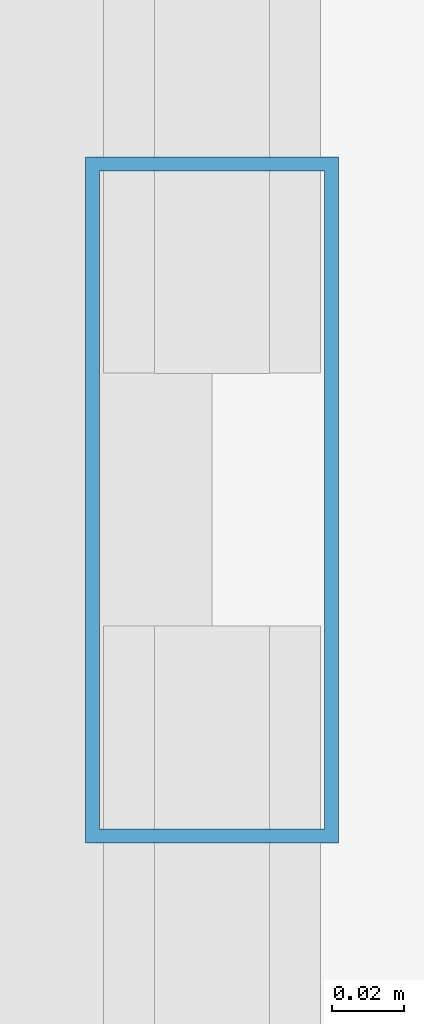
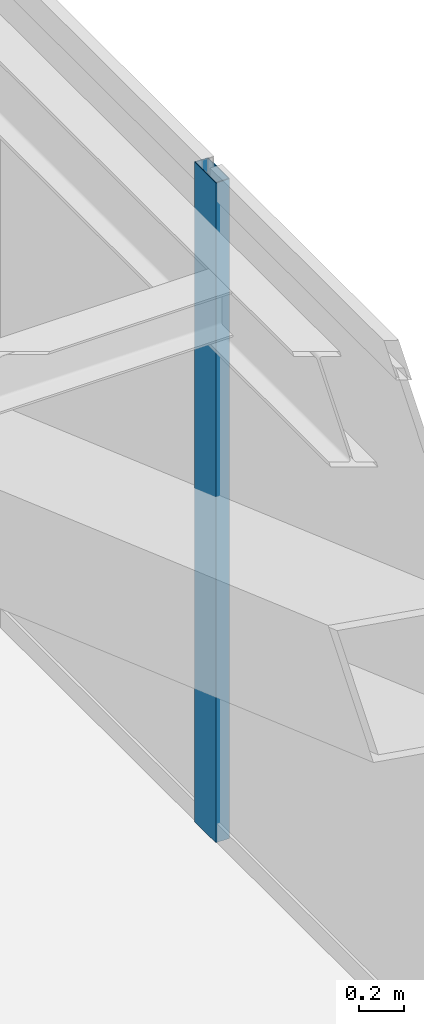
# One storey, part 20 of 35: 1 member, 1 element without a shape of its own.
"""IFC4 building model written with IfcOpenShell, lengths in metres."""

import ifcopenshell
import ifcopenshell.guid

model = None  # the IFC model being written
_history = None  # IfcOwnerHistory: only IFC2X3 demands one
_inside = {}  # id of a spatial element -> (the spatial element, [elements in it])
_under = {}  # id of a project, library or spatial element -> (it, [spatial elements below it])
_declared = {}  # id of a project -> (the project, [libraries it declares])
_typed = {}  # id of a type object -> (the type object, [elements of that type])
_made_of = {}  # id of a material, layer set ... -> (it, [elements and type objects made of it])


def new_model(schema):
    """Start an empty IFC model of exactly this schema.

    Asked for "IFC4X3", IfcOpenShell would pick the latest addendum, in which some entities
    have other attributes; the version numbers below select the first issue.
    IFC2X3 requires an IfcOwnerHistory on every rooted entity: one is made here for all.
    """
    global model, _history
    if schema == "IFC4X3":
        model = ifcopenshell.file(schema_version=(4, 3, 0, 0))
    else:
        model = ifcopenshell.file(schema=schema)
    _inside.clear()
    _under.clear()
    _declared.clear()
    _typed.clear()
    _made_of.clear()
    _history = None
    if model.schema == "IFC2X3":
        org = make("IfcOrganization", Name="unknown")
        user = make(
            "IfcPersonAndOrganization",
            ThePerson=make("IfcPerson", FamilyName="unknown"),
            TheOrganization=org,
        )
        app = make(
            "IfcApplication",
            ApplicationDeveloper=org,
            Version="unknown",
            ApplicationFullName="unknown",
            ApplicationIdentifier="unknown",
        )
        _history = make(
            "IfcOwnerHistory",
            OwningUser=user,
            OwningApplication=app,
            ChangeAction="ADDED",
            CreationDate=0,
        )
    return model


def make(cls, **values):
    """One entity of the class cls with the attributes given. An attribute that is None is left unset."""
    return model.create_entity(
        cls, **{name: value for name, value in values.items() if value is not None}
    )


def rooted(cls, **values):
    """An entity with a GlobalId (a new one), such as an element, a storey or a relation."""
    return make(cls, GlobalId=ifcopenshell.guid.new(), OwnerHistory=_history, **values)


def si_unit(unit_type, name, prefix=None):
    """IfcSIUnit, for example si_unit("LENGTHUNIT", "METRE", prefix="MILLI")."""
    return make("IfcSIUnit", UnitType=unit_type, Prefix=prefix, Name=name)


def assignment(units):
    """IfcUnitAssignment: the units of a project."""
    return None if units is None else make("IfcUnitAssignment", Units=units)


def point(xyz):
    """IfcCartesianPoint."""
    return None if xyz is None else make("IfcCartesianPoint", Coordinates=xyz)


def direction(xyz):
    """IfcDirection."""
    return None if xyz is None else make("IfcDirection", DirectionRatios=xyz)


def frame(location, z_axis=None, x_axis=None):
    """IfcAxis2Placement3D, a coordinate frame: its origin and axes. An axis left out is left unset."""
    return make(
        "IfcAxis2Placement3D",
        Location=point(location),
        Axis=direction(z_axis),
        RefDirection=direction(x_axis),
    )


def frame_2d(location, x_axis=None):
    """IfcAxis2Placement2D, a coordinate frame in the plane: its origin and x axis."""
    return make(
        "IfcAxis2Placement2D", Location=point(location), RefDirection=direction(x_axis)
    )


def origin():
    """The frame at (0, 0, 0) with its axes left unset."""
    return frame((0.0, 0.0, 0.0))


def origin_2d():
    """The frame at (0, 0) in the plane with its x axis left unset."""
    return frame_2d((0.0, 0.0))


def place(relative_to, where):
    """IfcLocalPlacement: puts the frame where relative to a parent placement (None: the world)."""
    return make(
        "IfcLocalPlacement", PlacementRelTo=relative_to, RelativePlacement=where
    )


def context(
    kind, dimensions, precision=None, world=None, true_north=None, identifier=None
):
    """IfcGeometricRepresentationContext, for example the 3D "Model" context."""
    return make(
        "IfcGeometricRepresentationContext",
        ContextIdentifier=identifier,
        ContextType=kind,
        CoordinateSpaceDimension=dimensions,
        Precision=precision,
        WorldCoordinateSystem=world,
        TrueNorth=true_north,
    )


def subcontext(parent, identifier, kind, view, scale=None):
    """IfcGeometricRepresentationSubContext, for example "Body" below "Model"."""
    return make(
        "IfcGeometricRepresentationSubContext",
        ContextIdentifier=identifier,
        ContextType=kind,
        ParentContext=parent,
        TargetScale=scale,
        TargetView=view,
    )


def project(units=None, contexts=None):
    """IfcProject with its units and contexts."""
    return rooted(
        "IfcProject",
        Name="project",
        RepresentationContexts=contexts,
        UnitsInContext=assignment(units),
    )


def spatial(cls, under=None, at=None, **own):
    """A site, building, storey or space (cls), placed at a placement, below another one or the project."""
    s = rooted(cls, ObjectPlacement=at, **own)
    if under is not None:
        _under.setdefault(under.id(), (under, []))[1].append(s)
    return s


def profile(cls, at=None, kind="AREA", **sizes):
    """A parametric profile (cls). Its sizes go by their IFC names, for example OverallWidth=200.0."""
    return make(cls, ProfileType=kind, Position=at, **sizes)


def hollow_rectangle(**sizes):
    """IfcRectangleHollowProfileDef."""
    return profile("IfcRectangleHollowProfileDef", **sizes)


def extrude(swept, where, along, depth):
    """IfcExtrudedAreaSolid: the profile swept, set in the frame where, extruded along a direction by depth."""
    return make(
        "IfcExtrudedAreaSolid",
        SweptArea=swept,
        Position=where,
        ExtrudedDirection=direction(along),
        Depth=depth,
    )


def shape(context_of_items, identifier, shape_type, items):
    """IfcShapeRepresentation: the items that make up one representation, for example the "Body"."""
    return make(
        "IfcShapeRepresentation",
        ContextOfItems=context_of_items,
        RepresentationIdentifier=identifier,
        RepresentationType=shape_type,
        Items=items,
    )


def source(mapping_origin, context_of_items, identifier, shape_type, items):
    """IfcRepresentationMap: a shape defined once, which mapped items show again and again."""
    return make(
        "IfcRepresentationMap",
        MappingOrigin=mapping_origin,
        MappedRepresentation=shape(context_of_items, identifier, shape_type, items),
    )


def transform(
    local_origin,
    x_axis=None,
    y_axis=None,
    z_axis=None,
    scale=None,
    scale2=None,
    scale3=None,
    uniform=True,
):
    """IfcCartesianTransformationOperator3D, or its non-uniform kind. x_axis, y_axis, z_axis: its Axis1, 2, 3."""
    if uniform:
        return make(
            "IfcCartesianTransformationOperator3D",
            Axis1=direction(x_axis),
            Axis2=direction(y_axis),
            LocalOrigin=point(local_origin),
            Scale=scale,
            Axis3=direction(z_axis),
        )
    return make(
        "IfcCartesianTransformationOperator3DnonUniform",
        Axis1=direction(x_axis),
        Axis2=direction(y_axis),
        LocalOrigin=point(local_origin),
        Scale=scale,
        Axis3=direction(z_axis),
        Scale2=scale2,
        Scale3=scale3,
    )


def mapped(mapping_source, mapping_target):
    """IfcMappedItem: shows the shape of a source again, moved by a transform."""
    return make(
        "IfcMappedItem", MappingSource=mapping_source, MappingTarget=mapping_target
    )


def material(Name=None, Category=None):
    """IfcMaterial."""
    return make("IfcMaterial", Name=Name, Category=Category)


def layer(
    of_material, thickness, ventilated=None, Name=None, Category=None, Priority=None
):
    """IfcMaterialLayer: one layer of a wall or slab, of a material (None: an air gap)."""
    return make(
        "IfcMaterialLayer",
        Material=of_material,
        LayerThickness=thickness,
        IsVentilated=ventilated,
        Name=Name,
        Category=Category,
        Priority=Priority,
    )


def layer_set(layers, Name=None):
    """IfcMaterialLayerSet."""
    return make("IfcMaterialLayerSet", MaterialLayers=layers, LayerSetName=Name)


def material_profile(
    of_material, cross_section, Name=None, Category=None, Priority=None
):
    """IfcMaterialProfile: a cross section and its material."""
    return make(
        "IfcMaterialProfile",
        Name=Name,
        Material=of_material,
        Profile=cross_section,
        Priority=Priority,
        Category=Category,
    )


def profile_set(profiles, Name=None, composite=None):
    """IfcMaterialProfileSet."""
    return make(
        "IfcMaterialProfileSet",
        Name=Name,
        MaterialProfiles=profiles,
        CompositeProfile=composite,
    )


def made_of(thing, what):
    """Note that an element or type object is made of a material, layer set ...; save() writes the relation."""
    if what is not None:
        _made_of.setdefault(what.id(), (what, []))[1].append(thing)
    return thing


def type_object(cls, material=None, **own):
    """A type object (cls), such as IfcWallType, which elements share."""
    return made_of(rooted(cls, **own), material)


def type_shapes(of_type, sources):
    """Give a type object the sources (RepresentationMaps) that its elements show as mapped items."""
    of_type.RepresentationMaps = sources


def element(
    cls,
    number,
    at=None,
    inside=None,
    cuts=None,
    type_object=None,
    material=None,
    context=None,
    identifier="Body",
    shape_type=None,
    held_by="IfcProductDefinitionShape",
    body=None,
    shapes=None,
    **own,
):
    """One element of the class cls, such as IfcWall. Its Tag is "e" and its number.

    at: its placement. inside: the storey or other place that contains it. cuts: it is an
    opening in that element (IfcRelVoidsElement). A single representation is given by context,
    identifier, shape_type and body (its items); several are given by shapes. held_by: the class
    of the entity that holds the representations. save() writes the other relations.
    """
    e = rooted(cls, Tag="e%d" % number, ObjectPlacement=at, **own)
    if body is not None:
        shapes = [shape(context, identifier, shape_type, body)]
    if shapes is not None:
        e.Representation = make(held_by, Representations=shapes)
    if inside is not None:
        _inside.setdefault(inside.id(), (inside, []))[1].append(e)
    if cuts is not None:
        rooted(
            "IfcRelVoidsElement", RelatingBuildingElement=cuts, RelatedOpeningElement=e
        )
    if type_object is not None:
        _typed.setdefault(type_object.id(), (type_object, []))[1].append(e)
    return made_of(e, material)


def aggregate(whole, parts):
    """IfcRelAggregates: a whole, such as a stair, and the parts it consists of."""
    return rooted("IfcRelAggregates", RelatingObject=whole, RelatedObjects=parts)


def save(model, path):
    """Write the relations noted so far, then the file.

    IfcRelAggregates (storeys below a building ...), IfcRelContainedInSpatialStructure (elements
    in a storey), IfcRelDefinesByType, IfcRelAssociatesMaterial and IfcRelDeclares: one each for
    every whole, place, type object, material and project.
    """
    for whole, parts in _under.values():
        aggregate(whole, parts)
    for where, things in _inside.values():
        rooted(
            "IfcRelContainedInSpatialStructure",
            RelatedElements=things,
            RelatingStructure=where,
        )
    for kind, things in _typed.values():
        rooted("IfcRelDefinesByType", RelatedObjects=things, RelatingType=kind)
    for what, things in _made_of.values():
        rooted("IfcRelAssociatesMaterial", RelatedObjects=things, RelatingMaterial=what)
    for by, libraries in _declared.values():
        rooted("IfcRelDeclares", RelatingContext=by, RelatedDefinitions=libraries)
    model.write(path)


model = new_model("IFC4")

# Units and contexts
model_context = context("Model", 3, precision=1e-05, world=origin(), true_north=direction((0.0, 1.0)))
body_context = subcontext(model_context, "Body", "Model", "MODEL_VIEW")
ifc_project = project(units=[si_unit("LENGTHUNIT", "METRE"), si_unit("AREAUNIT", "SQUARE_METRE"), si_unit("VOLUMEUNIT", "CUBIC_METRE"), si_unit("PLANEANGLEUNIT", "RADIAN"), si_unit("MASSUNIT", "GRAM", prefix="KILO")], contexts=[model_context])

# Site, building, storey
site_placement = place(None, origin())
site = spatial("IfcSite", under=ifc_project, at=site_placement, CompositionType="ELEMENT")
building_placement = place(site_placement, origin())
building = spatial("IfcBuilding", under=site, at=building_placement, Name="Varnel Quay Broadcast Tower", CompositionType="ELEMENT")
storey_placement = place(building_placement, frame((0.0, 0.0, 87.0)))
storey = spatial("IfcBuildingStorey", under=building, at=storey_placement, Name="L20", CompositionType="ELEMENT", Elevation=87.0)

# Curtain wall, member
ifc_material = material(Name="Anodised Bronze Aluminium 6063-T6", Category="aluminium")
ifc_layer = layer(ifc_material, 0.18994140625, Name="Anodised Bronze Aluminium 6063-T6")
ifc_layer_set = layer_set([ifc_layer], Name="Anodised Bronze Aluminium 6063-T6")
curtain_wall_type = type_object("IfcCurtainWallType", Name="CW_LowerTower", PredefinedType="NOTDEFINED", material=ifc_layer_set)
curtain_wall_placement = place(storey_placement, origin())
curtain_wall = element("IfcCurtainWall", 1, at=curtain_wall_placement, inside=storey, type_object=curtain_wall_type, Name="L20 East Unitised Curtain Wall", PredefinedType="NOTDEFINED")
ifc_material_profile = material_profile(ifc_material, hollow_rectangle(XDim=0.070068359375, YDim=0.18994140625, WallThickness=0.00390625, at=origin_2d()), Name="ALU70X190X4")
ifc_profile_set = profile_set([ifc_material_profile], Name="Anodised Bronze Aluminium 6063-T6")
member_type = type_object("IfcMemberType", Name="Mull_CWS-02", PredefinedType="MULLION", material=ifc_profile_set)
shared_shape = source(origin(), body_context, "Body", "SweptSolid", [
    extrude(hollow_rectangle(XDim=0.070068359375, YDim=0.18994140625, WallThickness=0.00390625, at=origin_2d()), origin(), (0.0, 0.0, 1.0), 3.550048828125),
])
type_shapes(member_type, [shared_shape])
member_placement = place(storey_placement, frame((63.35009765625, 31.39990234375, 0.0), z_axis=(0.0, 0.0, 1.0), x_axis=(-1.0, 0.0, 0.0)))
member = element("IfcMember", 2, at=member_placement, type_object=member_type, Name="CWS-02 mullion 3", PredefinedType="MULLION", context=body_context, shape_type="MappedRepresentation", body=[
    mapped(shared_shape, transform((0.0, 0.0, 0.0), x_axis=(1.0, 0.0, 0.0), y_axis=(0.0, 1.0, 0.0), z_axis=(0.0, 0.0, 1.0), scale=1.0)),
])
aggregate(curtain_wall, [member])

save(model, "model.ifc")
